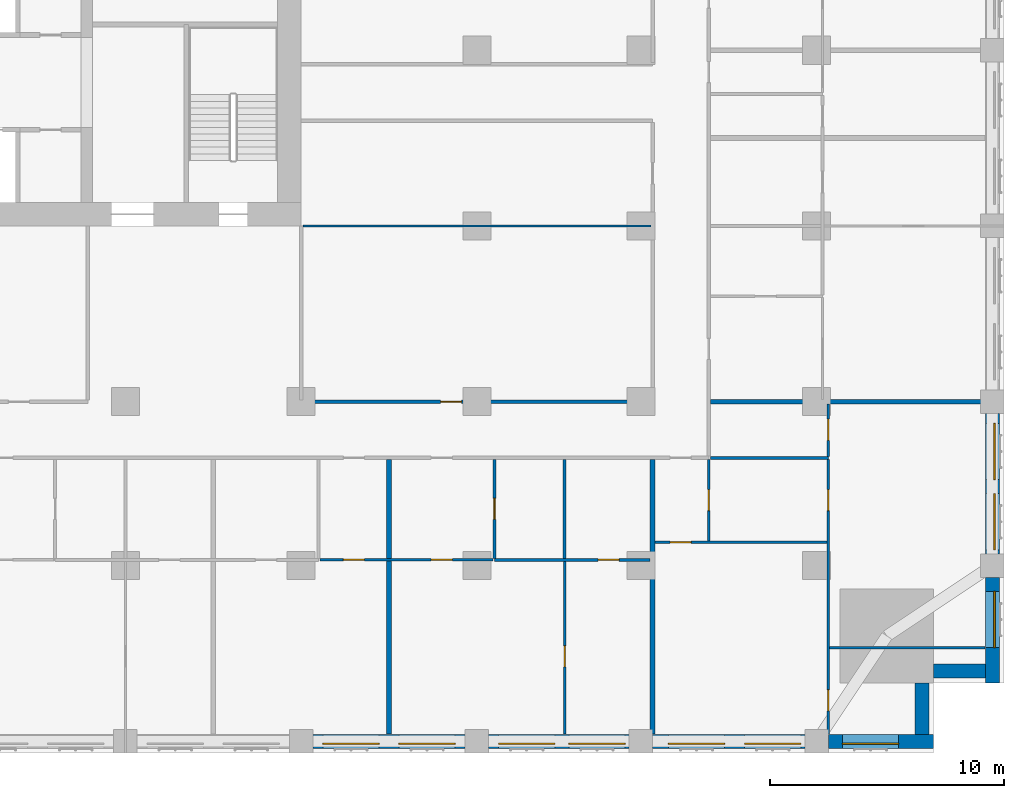
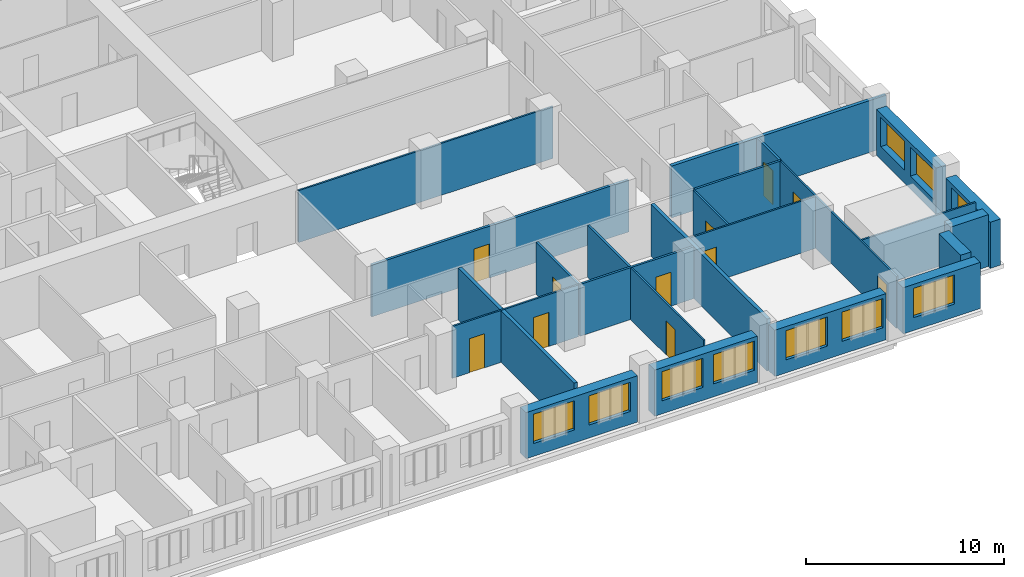
# One storey, part 6 of 14: 24 walls, 11 doors, 10 windows, 21 openings.
"""IFC4 building model written with IfcOpenShell, lengths in metres."""

from ifc_helpers import new_model, si_unit, direction, frame, frame_2d, origin, place, context, subcontext, project, spatial, rectangle, extrude, material, layer, layer_set, type_object, element, fill, save


model = new_model("IFC4")

# Units and contexts
model_context = context("Model", 3, precision=1e-05, world=origin(), true_north=direction((0.0, 1.0)))
body_context = subcontext(model_context, "Body", "Model", "MODEL_VIEW")
ifc_project = project(units=[si_unit("LENGTHUNIT", "METRE"), si_unit("AREAUNIT", "SQUARE_METRE"), si_unit("VOLUMEUNIT", "CUBIC_METRE"), si_unit("PLANEANGLEUNIT", "RADIAN"), si_unit("MASSUNIT", "GRAM", prefix="KILO")], contexts=[model_context])

# Site, building, storey
site_placement = place(None, origin())
site = spatial("IfcSite", under=ifc_project, at=site_placement, CompositionType="ELEMENT")
building_placement = place(site_placement, origin())
building = spatial("IfcBuilding", under=site, at=building_placement, Name="Tamorin Gate", CompositionType="ELEMENT")
storey_placement = place(building_placement, frame((0.0, 0.0, 70.0)))
storey = spatial("IfcBuildingStorey", under=building, at=storey_placement, Name="L16", CompositionType="ELEMENT", Elevation=70.0)

# Wall, openings, windows
ifc_material_1 = material(Name="Precast concrete C40/50", Category="concrete")
ifc_layer_1 = layer(ifc_material_1, 0.60009765625)
ifc_layer_set_1 = layer_set([ifc_layer_1], Name="Precast concrete C40/50")
wall_type_1 = type_object("IfcWallType", Name="Board-marked concrete facade panel 600", PredefinedType="SOLIDWALL", material=ifc_layer_set_1)
wall_1_placement = place(storey_placement, frame((60.5, 38.0, 0.0), z_axis=(0.0, 0.0, 1.0), x_axis=(1.0, 0.0, 0.0)))
wall_1 = element("IfcWall", 1, at=wall_1_placement, inside=storey, type_object=wall_type_1, Name="Facade panel", PredefinedType="SOLIDWALL", context=body_context, shape_type="SweptSolid", body=[
    extrude(rectangle(XDim=6.5, YDim=0.60009765625, at=frame_2d((3.25, 0.0))), origin(), (0.0, 0.0, 1.0), 2.85009765625),
])
opening_1_placement = place(wall_1_placement, frame((0.425048828125, 0.0, 0.800048828125)))
opening_1 = element("IfcOpeningElement", 2, at=opening_1_placement, cuts=wall_1, Name="Opening WN1", PredefinedType="OPENING", context=body_context, shape_type="SweptSolid", body=[
    extrude(rectangle(XDim=2.39990234375, YDim=1.800048828125, at=frame_2d((1.199951171875, 0.89990234375))), frame((0.0, 0.31005859375, 0.0), z_axis=(0.0, -1.0, 0.0), x_axis=(1.0, 0.0, 0.0)), (0.0, 0.0, 1.0), 0.6201171875),
])
opening_2_placement = place(wall_1_placement, frame((3.675048828125, 0.0, 0.800048828125)))
opening_2 = element("IfcOpeningElement", 3, at=opening_2_placement, cuts=wall_1, Name="Opening WN1", PredefinedType="OPENING", context=body_context, shape_type="SweptSolid", body=[
    extrude(rectangle(XDim=2.39990234375, YDim=1.800048828125, at=frame_2d((1.199951171875, 0.89990234375))), frame((0.0, 0.31005859375, 0.0), z_axis=(0.0, -1.0, 0.0), x_axis=(1.0, 0.0, 0.0)), (0.0, 0.0, 1.0), 0.6201171875),
])
ifc_material_2 = material(Name="Clear glass in aluminium frame", Category="aluminium")
window_type = type_object("IfcWindowType", Name="Deep-set window 2400x1800", PartitioningType="SINGLE_PANEL", PredefinedType="WINDOW", material=ifc_material_2)
window_1_placement = place(opening_1_placement, origin())
window_1 = element("IfcWindow", 4, at=window_1_placement, inside=storey, type_object=window_type, Name="Deep-set window", OverallHeight=1.800048828125, OverallWidth=2.39990234375, PartitioningType="SINGLE_PANEL", PredefinedType="WINDOW", context=body_context, shape_type="SweptSolid", body=[
    extrude(rectangle(XDim=2.39990234375, YDim=1.800048828125, at=frame_2d((1.199951171875, 0.89990234375))), frame((0.0, -0.070068359375, 0.0), z_axis=(0.0, -1.0, 0.0), x_axis=(1.0, 0.0, 0.0)), (0.0, 0.0, 1.0), 0.06005859375),
])
fill(opening_1, window_1)
window_2_placement = place(opening_2_placement, origin())
window_2 = element("IfcWindow", 5, at=window_2_placement, inside=storey, type_object=window_type, Name="Deep-set window", OverallHeight=1.800048828125, OverallWidth=2.39990234375, PartitioningType="SINGLE_PANEL", PredefinedType="WINDOW", context=body_context, shape_type="SweptSolid", body=[
    extrude(rectangle(XDim=2.39990234375, YDim=1.800048828125, at=frame_2d((1.199951171875, 0.89990234375))), frame((0.0, -0.070068359375, 0.0), z_axis=(0.0, -1.0, 0.0), x_axis=(1.0, 0.0, 0.0)), (0.0, 0.0, 1.0), 0.06005859375),
])
fill(opening_2, window_2)

wall_2_placement = place(storey_placement, frame((68.0, 38.0, 0.0), z_axis=(0.0, 0.0, 1.0), x_axis=(1.0, 0.0, 0.0)))
wall_2 = element("IfcWall", 6, at=wall_2_placement, inside=storey, type_object=wall_type_1, Name="Facade panel", PredefinedType="SOLIDWALL", context=body_context, shape_type="SweptSolid", body=[
    extrude(rectangle(XDim=6.0, YDim=0.60009765625, at=frame_2d((3.0, 0.0))), origin(), (0.0, 0.0, 1.0), 2.85009765625),
])
opening_3_placement = place(wall_2_placement, frame((0.425048828125, 0.0, 0.800048828125)))
opening_3 = element("IfcOpeningElement", 7, at=opening_3_placement, cuts=wall_2, Name="Opening WN1", PredefinedType="OPENING", context=body_context, shape_type="SweptSolid", body=[
    extrude(rectangle(XDim=2.39990234375, YDim=1.800048828125, at=frame_2d((1.199951171875, 0.89990234375))), frame((0.0, 0.31005859375, 0.0), z_axis=(0.0, -1.0, 0.0), x_axis=(1.0, 0.0, 0.0)), (0.0, 0.0, 1.0), 0.6201171875),
])
opening_4_placement = place(wall_2_placement, frame((3.425048828125, 0.0, 0.800048828125)))
opening_4 = element("IfcOpeningElement", 8, at=opening_4_placement, cuts=wall_2, Name="Opening WN1", PredefinedType="OPENING", context=body_context, shape_type="SweptSolid", body=[
    extrude(rectangle(XDim=2.39990234375, YDim=1.800048828125, at=frame_2d((1.199951171875, 0.89990234375))), frame((0.0, 0.31005859375, 0.0), z_axis=(0.0, -1.0, 0.0), x_axis=(1.0, 0.0, 0.0)), (0.0, 0.0, 1.0), 0.6201171875),
])
window_3_placement = place(opening_3_placement, origin())
window_3 = element("IfcWindow", 9, at=window_3_placement, inside=storey, type_object=window_type, Name="Deep-set window", OverallHeight=1.800048828125, OverallWidth=2.39990234375, PartitioningType="SINGLE_PANEL", PredefinedType="WINDOW", context=body_context, shape_type="SweptSolid", body=[
    extrude(rectangle(XDim=2.39990234375, YDim=1.800048828125, at=frame_2d((1.199951171875, 0.89990234375))), frame((0.0, -0.070068359375, 0.0), z_axis=(0.0, -1.0, 0.0), x_axis=(1.0, 0.0, 0.0)), (0.0, 0.0, 1.0), 0.06005859375),
])
fill(opening_3, window_3)
window_4_placement = place(opening_4_placement, origin())
window_4 = element("IfcWindow", 10, at=window_4_placement, inside=storey, type_object=window_type, Name="Deep-set window", OverallHeight=1.800048828125, OverallWidth=2.39990234375, PartitioningType="SINGLE_PANEL", PredefinedType="WINDOW", context=body_context, shape_type="SweptSolid", body=[
    extrude(rectangle(XDim=2.39990234375, YDim=1.800048828125, at=frame_2d((1.199951171875, 0.89990234375))), frame((0.0, -0.070068359375, 0.0), z_axis=(0.0, -1.0, 0.0), x_axis=(1.0, 0.0, 0.0)), (0.0, 0.0, 1.0), 0.06005859375),
])
fill(opening_4, window_4)

wall_3_placement = place(storey_placement, frame((75.0, 38.0, 0.0), z_axis=(0.0, 0.0, 1.0), x_axis=(1.0, 0.0, 0.0)))
wall_3 = element("IfcWall", 11, at=wall_3_placement, inside=storey, type_object=wall_type_1, Name="Facade panel", PredefinedType="SOLIDWALL", context=body_context, shape_type="SweptSolid", body=[
    extrude(rectangle(XDim=6.5, YDim=0.60009765625, at=frame_2d((3.25, 0.0))), origin(), (0.0, 0.0, 1.0), 2.85009765625),
])
opening_5_placement = place(wall_3_placement, frame((0.675048828125, 0.0, 0.800048828125)))
opening_5 = element("IfcOpeningElement", 12, at=opening_5_placement, cuts=wall_3, Name="Opening WN1", PredefinedType="OPENING", context=body_context, shape_type="SweptSolid", body=[
    extrude(rectangle(XDim=2.39990234375, YDim=1.800048828125, at=frame_2d((1.199951171875, 0.89990234375))), frame((0.0, 0.31005859375, 0.0), z_axis=(0.0, -1.0, 0.0), x_axis=(1.0, 0.0, 0.0)), (0.0, 0.0, 1.0), 0.6201171875),
])
opening_6_placement = place(wall_3_placement, frame((3.925048828125, 0.0, 0.800048828125)))
opening_6 = element("IfcOpeningElement", 13, at=opening_6_placement, cuts=wall_3, Name="Opening WN1", PredefinedType="OPENING", context=body_context, shape_type="SweptSolid", body=[
    extrude(rectangle(XDim=2.39990234375, YDim=1.800048828125, at=frame_2d((1.199951171875, 0.89990234375))), frame((0.0, 0.31005859375, 0.0), z_axis=(0.0, -1.0, 0.0), x_axis=(1.0, 0.0, 0.0)), (0.0, 0.0, 1.0), 0.6201171875),
])
window_5_placement = place(opening_5_placement, origin())
window_5 = element("IfcWindow", 14, at=window_5_placement, inside=storey, type_object=window_type, Name="Deep-set window", OverallHeight=1.800048828125, OverallWidth=2.39990234375, PartitioningType="SINGLE_PANEL", PredefinedType="WINDOW", context=body_context, shape_type="SweptSolid", body=[
    extrude(rectangle(XDim=2.39990234375, YDim=1.800048828125, at=frame_2d((1.199951171875, 0.89990234375))), frame((0.0, -0.070068359375, 0.0), z_axis=(0.0, -1.0, 0.0), x_axis=(1.0, 0.0, 0.0)), (0.0, 0.0, 1.0), 0.06005859375),
])
fill(opening_5, window_5)
window_6_placement = place(opening_6_placement, origin())
window_6 = element("IfcWindow", 15, at=window_6_placement, inside=storey, type_object=window_type, Name="Deep-set window", OverallHeight=1.800048828125, OverallWidth=2.39990234375, PartitioningType="SINGLE_PANEL", PredefinedType="WINDOW", context=body_context, shape_type="SweptSolid", body=[
    extrude(rectangle(XDim=2.39990234375, YDim=1.800048828125, at=frame_2d((1.199951171875, 0.89990234375))), frame((0.0, -0.070068359375, 0.0), z_axis=(0.0, -1.0, 0.0), x_axis=(1.0, 0.0, 0.0)), (0.0, 0.0, 1.0), 0.06005859375),
])
fill(opening_6, window_6)

# Wall, opening, window
wall_4_placement = place(storey_placement, frame((82.5, 38.0, 0.0), z_axis=(0.0, 0.0, 1.0), x_axis=(1.0, 0.0, 0.0)))
wall_4 = element("IfcWall", 16, at=wall_4_placement, inside=storey, type_object=wall_type_1, Name="Facade panel", PredefinedType="SOLIDWALL", context=body_context, shape_type="SweptSolid", body=[
    extrude(rectangle(XDim=4.5, YDim=0.60009765625, at=frame_2d((2.25, 0.0))), origin(), (0.0, 0.0, 1.0), 2.85009765625),
])
opening_7_placement = place(wall_4_placement, frame((0.60009765625, 0.0, 0.800048828125)))
opening_7 = element("IfcOpeningElement", 17, at=opening_7_placement, cuts=wall_4, Name="Opening WN1", PredefinedType="OPENING", context=body_context, shape_type="SweptSolid", body=[
    extrude(rectangle(XDim=2.39990234375, YDim=1.800048828125, at=frame_2d((1.199951171875, 0.89990234375))), frame((0.0, 0.31005859375, 0.0), z_axis=(0.0, -1.0, 0.0), x_axis=(1.0, 0.0, 0.0)), (0.0, 0.0, 1.0), 0.6201171875),
])
window_7_placement = place(opening_7_placement, origin())
window_7 = element("IfcWindow", 18, at=window_7_placement, inside=storey, type_object=window_type, Name="Deep-set window", OverallHeight=1.800048828125, OverallWidth=2.39990234375, PartitioningType="SINGLE_PANEL", PredefinedType="WINDOW", context=body_context, shape_type="SweptSolid", body=[
    extrude(rectangle(XDim=2.39990234375, YDim=1.800048828125, at=frame_2d((1.199951171875, 0.89990234375))), frame((0.0, -0.070068359375, 0.0), z_axis=(0.0, -1.0, 0.0), x_axis=(1.0, 0.0, 0.0)), (0.0, 0.0, 1.0), 0.06005859375),
])
fill(opening_7, window_7)

# Walls
for number, where, z_axis, x_axis, name in (
    (19, (86.5, 38.300048828125, 0.0), (0.0, 0.0, 1.0), (0.0, 1.0, 0.0), "Facade panel"),
    (20, (87.0, 41.0, 0.0), (0.0, 0.0, 1.0), (1.0, 0.0, 0.0), "Facade panel"),
):
    element("IfcWall", number, at=place(storey_placement, frame(where, z_axis=z_axis, x_axis=x_axis)), inside=storey, type_object=wall_type_1, Name=name, PredefinedType="SOLIDWALL", context=body_context, shape_type="SweptSolid", body=[
        extrude(rectangle(XDim=2.199951171875, YDim=0.60009765625, at=frame_2d((1.10009765625, 0.0))), origin(), (0.0, 0.0, 1.0), 3.199951171875),
    ])

# Wall, opening, window
wall_5_placement = place(storey_placement, frame((89.5, 40.5, 0.0), z_axis=(0.0, 0.0, 1.0), x_axis=(0.0, 1.0, 0.0)))
wall_5 = element("IfcWall", 21, at=wall_5_placement, inside=storey, type_object=wall_type_1, Name="Facade panel", PredefinedType="SOLIDWALL", context=body_context, shape_type="SweptSolid", body=[
    extrude(rectangle(XDim=4.5, YDim=0.60009765625, at=frame_2d((2.25, 0.0))), origin(), (0.0, 0.0, 1.0), 2.85009765625),
])
opening_8_placement = place(wall_5_placement, frame((1.5, 0.0, 0.800048828125)))
opening_8 = element("IfcOpeningElement", 22, at=opening_8_placement, cuts=wall_5, Name="Opening WN1", PredefinedType="OPENING", context=body_context, shape_type="SweptSolid", body=[
    extrude(rectangle(XDim=2.39990234375, YDim=1.800048828125, at=frame_2d((1.199951171875, 0.89990234375))), frame((0.0, 0.31005859375, 0.0), z_axis=(0.0, -1.0, 0.0), x_axis=(1.0, 0.0, 0.0)), (0.0, 0.0, 1.0), 0.6201171875),
])
window_8_placement = place(opening_8_placement, origin())
window_8 = element("IfcWindow", 23, at=window_8_placement, inside=storey, type_object=window_type, Name="Deep-set window", OverallHeight=1.800048828125, OverallWidth=2.39990234375, PartitioningType="SINGLE_PANEL", PredefinedType="WINDOW", context=body_context, shape_type="SweptSolid", body=[
    extrude(rectangle(XDim=2.39990234375, YDim=1.800048828125, at=frame_2d((1.199951171875, 0.89990234375))), frame((0.0, -0.070068359375, 0.0), z_axis=(0.0, -1.0, 0.0), x_axis=(1.0, 0.0, 0.0)), (0.0, 0.0, 1.0), 0.06005859375),
])
fill(opening_8, window_8)

# Wall, openings, windows
wall_6_placement = place(storey_placement, frame((89.5, 46.0, 0.0), z_axis=(0.0, 0.0, 1.0), x_axis=(0.0, 1.0, 0.0)))
wall_6 = element("IfcWall", 24, at=wall_6_placement, inside=storey, type_object=wall_type_1, Name="Facade panel", PredefinedType="SOLIDWALL", context=body_context, shape_type="SweptSolid", body=[
    extrude(rectangle(XDim=6.0, YDim=0.60009765625, at=frame_2d((3.0, 0.0))), origin(), (0.0, 0.0, 1.0), 2.85009765625),
])
opening_9_placement = place(wall_6_placement, frame((0.175048828125, 0.0, 0.800048828125)))
opening_9 = element("IfcOpeningElement", 25, at=opening_9_placement, cuts=wall_6, Name="Opening WN1", PredefinedType="OPENING", context=body_context, shape_type="SweptSolid", body=[
    extrude(rectangle(XDim=2.39990234375, YDim=1.800048828125, at=frame_2d((1.199951171875, 0.89990234375))), frame((0.0, 0.31005859375, 0.0), z_axis=(0.0, -1.0, 0.0), x_axis=(1.0, 0.0, 0.0)), (0.0, 0.0, 1.0), 0.6201171875),
])
opening_10_placement = place(wall_6_placement, frame((3.175048828125, 0.0, 0.800048828125)))
opening_10 = element("IfcOpeningElement", 26, at=opening_10_placement, cuts=wall_6, Name="Opening WN1", PredefinedType="OPENING", context=body_context, shape_type="SweptSolid", body=[
    extrude(rectangle(XDim=2.39990234375, YDim=1.800048828125, at=frame_2d((1.199951171875, 0.89990234375))), frame((0.0, 0.31005859375, 0.0), z_axis=(0.0, -1.0, 0.0), x_axis=(1.0, 0.0, 0.0)), (0.0, 0.0, 1.0), 0.6201171875),
])
window_9_placement = place(opening_9_placement, origin())
window_9 = element("IfcWindow", 27, at=window_9_placement, inside=storey, type_object=window_type, Name="Deep-set window", OverallHeight=1.800048828125, OverallWidth=2.39990234375, PartitioningType="SINGLE_PANEL", PredefinedType="WINDOW", context=body_context, shape_type="SweptSolid", body=[
    extrude(rectangle(XDim=2.39990234375, YDim=1.800048828125, at=frame_2d((1.199951171875, 0.89990234375))), frame((0.0, -0.070068359375, 0.0), z_axis=(0.0, -1.0, 0.0), x_axis=(1.0, 0.0, 0.0)), (0.0, 0.0, 1.0), 0.06005859375),
])
fill(opening_9, window_9)
window_10_placement = place(opening_10_placement, origin())
window_10 = element("IfcWindow", 28, at=window_10_placement, inside=storey, type_object=window_type, Name="Deep-set window", OverallHeight=1.800048828125, OverallWidth=2.39990234375, PartitioningType="SINGLE_PANEL", PredefinedType="WINDOW", context=body_context, shape_type="SweptSolid", body=[
    extrude(rectangle(XDim=2.39990234375, YDim=1.800048828125, at=frame_2d((1.199951171875, 0.89990234375))), frame((0.0, -0.070068359375, 0.0), z_axis=(0.0, -1.0, 0.0), x_axis=(1.0, 0.0, 0.0)), (0.0, 0.0, 1.0), 0.06005859375),
])
fill(opening_10, window_10)

# Wall, opening, door
ifc_material_3 = material(Name="Gypsum board partition")
ifc_layer_2 = layer(ifc_material_3, 0.14990234375)
ifc_layer_set_2 = layer_set([ifc_layer_2], Name="Corridor wall 150")
wall_type_2 = type_object("IfcWallType", Name="Corridor wall 150", PredefinedType="PARTITIONING", material=ifc_layer_set_2)
wall_7_placement = place(storey_placement, frame((60.0, 52.5, 0.0), z_axis=(0.0, 0.0, 1.0), x_axis=(1.0, 0.0, 0.0)))
wall_7 = element("IfcWall", 29, at=wall_7_placement, inside=storey, type_object=wall_type_2, Name="Corridor wall 150", PredefinedType="PARTITIONING", context=body_context, shape_type="SweptSolid", body=[
    extrude(rectangle(XDim=15.0, YDim=0.14990234375, at=frame_2d((7.5, 0.0))), origin(), (0.0, 0.0, 1.0), 3.199951171875),
])
opening_11_placement = place(wall_7_placement, frame((5.949951171875, 0.0, 0.0)))
opening_11 = element("IfcOpeningElement", 30, at=opening_11_placement, cuts=wall_7, Name="Opening DH3076", PredefinedType="OPENING", context=body_context, shape_type="SweptSolid", body=[
    extrude(rectangle(XDim=0.89990234375, YDim=2.10009765625, at=frame_2d((0.449951171875, 1.050048828125))), frame((0.0, 0.0849609375, 0.0), z_axis=(0.0, -1.0, 0.0), x_axis=(1.0, 0.0, 0.0)), (0.0, 0.0, 1.0), 0.169921875),
])
ifc_material_4 = material(Name="Timber door leaf", Category="wood")
door_type_1 = type_object("IfcDoorType", Name="Door 900 x 2100 FD30S", OperationType="NOTDEFINED", PredefinedType="DOOR", material=ifc_material_4)
door_1_placement = place(opening_11_placement, origin())
door_1 = element("IfcDoor", 31, at=door_1_placement, inside=storey, type_object=door_type_1, Name="Door DH3076", OperationType="SINGLE_SWING_LEFT", OverallHeight=2.10009765625, OverallWidth=0.89990234375, PredefinedType="DOOR", context=body_context, shape_type="SweptSolid", body=[
    extrude(rectangle(XDim=0.89990234375, YDim=2.10009765625, at=frame_2d((0.449951171875, 1.050048828125))), frame((0.0, 0.02490234375, 0.0), z_axis=(0.0, -1.0, 0.0), x_axis=(1.0, 0.0, 0.0)), (0.0, 0.0, 1.0), 0.050048828125),
])
fill(opening_11, door_1)

# Walls
ifc_layer_3 = layer(ifc_material_3, 0.199951171875)
ifc_layer_set_3 = layer_set([ifc_layer_3], Name="Demising wall 200")
wall_type_3 = type_object("IfcWallType", Name="Demising wall 200", PredefinedType="PARTITIONING", material=ifc_layer_set_3)
wall_8_placement = place(storey_placement, frame((77.47509765625, 52.5, 0.0), z_axis=(0.0, 0.0, 1.0), x_axis=(1.0, 0.0, 0.0)))
element("IfcWall", 32, at=wall_8_placement, inside=storey, type_object=wall_type_3, Name="Demising wall 200", PredefinedType="PARTITIONING", context=body_context, shape_type="SweptSolid", body=[
    extrude(rectangle(XDim=12.52490234375, YDim=0.199951171875, at=frame_2d((6.262451171875, 0.0))), origin(), (0.0, 0.0, 1.0), 3.199951171875),
])
for number, where, z_axis, x_axis, name in (
    (33, (63.75, 38.31005859375, 0.0), (0.0, 0.0, 1.0), (0.0, 1.0, 0.0), "Demising wall 200"),
    (34, (75.0, 38.31005859375, 0.0), (0.0, 0.0, 1.0), (0.0, 1.0, 0.0), "Demising wall 200"),
):
    element("IfcWall", number, at=place(storey_placement, frame(where, z_axis=z_axis, x_axis=x_axis)), inside=storey, type_object=wall_type_3, Name=name, PredefinedType="PARTITIONING", context=body_context, shape_type="SweptSolid", body=[
        extrude(rectangle(XDim=11.71484375, YDim=0.199951171875, at=frame_2d((5.857421875, 0.0))), origin(), (0.0, 0.0, 1.0), 3.199951171875),
    ])
ifc_layer_4 = layer(ifc_material_3, 0.10009765625)
ifc_layer_set_4 = layer_set([ifc_layer_4], Name="Room partition 100")
wall_type_4 = type_object("IfcWallType", Name="Room partition 100", PredefinedType="PARTITIONING", material=ifc_layer_set_4)
wall_9_placement = place(storey_placement, frame((82.550048828125, 42.0, 0.0), z_axis=(0.0, 0.0, 1.0), x_axis=(1.0, 0.0, 0.0)))
element("IfcWall", 35, at=wall_9_placement, inside=storey, type_object=wall_type_4, Name="Room partition 100", PredefinedType="PARTITIONING", context=body_context, shape_type="SweptSolid", body=[
    extrude(rectangle(XDim=6.639892578125, YDim=0.10009765625, at=frame_2d((3.31982421875, 0.0))), origin(), (0.0, 0.0, 1.0), 3.199951171875),
])

# Wall, openings, doors
wall_10_placement = place(storey_placement, frame((60.8125, 45.75, 0.0), z_axis=(0.0, 0.0, 1.0), x_axis=(1.0, 0.0, 0.0)))
wall_10 = element("IfcWall", 36, at=wall_10_placement, inside=storey, type_object=wall_type_4, Name="Room partition 100", PredefinedType="PARTITIONING", context=body_context, shape_type="SweptSolid", body=[
    extrude(rectangle(XDim=7.375, YDim=0.10009765625, at=frame_2d((3.6875, 0.0))), origin(), (0.0, 0.0, 1.0), 3.199951171875),
])
opening_12_placement = place(wall_10_placement, frame((0.987548828125, 0.0, 0.0)))
opening_12 = element("IfcOpeningElement", 37, at=opening_12_placement, cuts=wall_10, Name="Opening DH3014", PredefinedType="OPENING", context=body_context, shape_type="SweptSolid", body=[
    extrude(rectangle(XDim=0.89990234375, YDim=2.10009765625, at=frame_2d((0.449951171875, 1.050048828125))), frame((0.0, 0.06005859375, 0.0), z_axis=(0.0, -1.0, 0.0), x_axis=(1.0, 0.0, 0.0)), (0.0, 0.0, 1.0), 0.1201171875),
])
opening_13_placement = place(wall_10_placement, frame((4.737548828125, 0.0, 0.0)))
opening_13 = element("IfcOpeningElement", 38, at=opening_13_placement, cuts=wall_10, Name="Opening DH3016", PredefinedType="OPENING", context=body_context, shape_type="SweptSolid", body=[
    extrude(rectangle(XDim=0.89990234375, YDim=2.10009765625, at=frame_2d((0.449951171875, 1.050048828125))), frame((0.0, 0.06005859375, 0.0), z_axis=(0.0, -1.0, 0.0), x_axis=(1.0, 0.0, 0.0)), (0.0, 0.0, 1.0), 0.1201171875),
])
door_type_2 = type_object("IfcDoorType", Name="Door 900 x 2100", OperationType="NOTDEFINED", PredefinedType="DOOR", material=ifc_material_4)
door_2_placement = place(opening_12_placement, origin())
door_2 = element("IfcDoor", 39, at=door_2_placement, inside=storey, type_object=door_type_2, Name="Door DH3014", OperationType="SINGLE_SWING_LEFT", OverallHeight=2.10009765625, OverallWidth=0.89990234375, PredefinedType="DOOR", context=body_context, shape_type="SweptSolid", body=[
    extrude(rectangle(XDim=0.89990234375, YDim=2.10009765625, at=frame_2d((0.449951171875, 1.050048828125))), frame((0.0, 0.02490234375, 0.0), z_axis=(0.0, -1.0, 0.0), x_axis=(1.0, 0.0, 0.0)), (0.0, 0.0, 1.0), 0.050048828125),
])
fill(opening_12, door_2)
door_3_placement = place(opening_13_placement, origin())
door_3 = element("IfcDoor", 40, at=door_3_placement, inside=storey, type_object=door_type_2, Name="Door DH3016", OperationType="SINGLE_SWING_LEFT", OverallHeight=2.10009765625, OverallWidth=0.89990234375, PredefinedType="DOOR", context=body_context, shape_type="SweptSolid", body=[
    extrude(rectangle(XDim=0.89990234375, YDim=2.10009765625, at=frame_2d((0.449951171875, 1.050048828125))), frame((0.0, 0.02490234375, 0.0), z_axis=(0.0, -1.0, 0.0), x_axis=(1.0, 0.0, 0.0)), (0.0, 0.0, 1.0), 0.050048828125),
])
fill(opening_13, door_3)

# Wall, opening, door
wall_11_placement = place(storey_placement, frame((75.10009765625, 46.5, 0.0), z_axis=(0.0, 0.0, 1.0), x_axis=(1.0, 0.0, 0.0)))
wall_11 = element("IfcWall", 41, at=wall_11_placement, inside=storey, type_object=wall_type_4, Name="Room partition 100", PredefinedType="PARTITIONING", context=body_context, shape_type="SweptSolid", body=[
    extrude(rectangle(XDim=7.349853515625, YDim=0.10009765625, at=frame_2d((3.6748046875, 0.0))), origin(), (0.0, 0.0, 1.0), 3.199951171875),
])
opening_14_placement = place(wall_11_placement, frame((0.64990234375, 0.0, 0.0)))
opening_14 = element("IfcOpeningElement", 42, at=opening_14_placement, cuts=wall_11, Name="Opening DH3062", PredefinedType="OPENING", context=body_context, shape_type="SweptSolid", body=[
    extrude(rectangle(XDim=0.89990234375, YDim=2.10009765625, at=frame_2d((0.449951171875, 1.050048828125))), frame((0.0, 0.06005859375, 0.0), z_axis=(0.0, -1.0, 0.0), x_axis=(1.0, 0.0, 0.0)), (0.0, 0.0, 1.0), 0.1201171875),
])
door_4_placement = place(opening_14_placement, origin())
door_4 = element("IfcDoor", 43, at=door_4_placement, inside=storey, type_object=door_type_2, Name="Door DH3062", OperationType="SINGLE_SWING_RIGHT", OverallHeight=2.10009765625, OverallWidth=0.89990234375, PredefinedType="DOOR", context=body_context, shape_type="SweptSolid", body=[
    extrude(rectangle(XDim=0.89990234375, YDim=2.10009765625, at=frame_2d((0.449951171875, 1.050048828125))), frame((0.0, 0.02490234375, 0.0), z_axis=(0.0, -1.0, 0.0), x_axis=(1.0, 0.0, 0.0)), (0.0, 0.0, 1.0), 0.050048828125),
])
fill(opening_14, door_4)

# Wall
wall_12_placement = place(storey_placement, frame((60.074951171875, 60.0, 0.0), z_axis=(0.0, 0.0, 1.0), x_axis=(1.0, 0.0, 0.0)))
element("IfcWall", 44, at=wall_12_placement, inside=storey, type_object=wall_type_4, Name="Room partition 100", PredefinedType="PARTITIONING", context=body_context, shape_type="SweptSolid", body=[
    extrude(rectangle(XDim=14.85009765625, YDim=0.10009765625, at=frame_2d((7.425048828125, 0.0))), origin(), (0.0, 0.0, 1.0), 3.199951171875),
])

# Wall, opening, door
wall_13_placement = place(storey_placement, frame((71.25, 38.31005859375, 0.0), z_axis=(0.0, 0.0, 1.0), x_axis=(0.0, 1.0, 0.0)))
wall_13 = element("IfcWall", 45, at=wall_13_placement, inside=storey, type_object=wall_type_4, Name="Room partition 100", PredefinedType="PARTITIONING", context=body_context, shape_type="SweptSolid", body=[
    extrude(rectangle(XDim=7.37744140625, YDim=0.10009765625, at=frame_2d((3.688720703125, 0.0))), origin(), (0.0, 0.0, 1.0), 3.199951171875),
])
opening_15_placement = place(wall_13_placement, frame((2.864990234375, 0.0, 0.0)))
opening_15 = element("IfcOpeningElement", 46, at=opening_15_placement, cuts=wall_13, Name="Opening DH3019", PredefinedType="OPENING", context=body_context, shape_type="SweptSolid", body=[
    extrude(rectangle(XDim=0.89990234375, YDim=2.10009765625, at=frame_2d((0.449951171875, 1.050048828125))), frame((0.0, 0.06005859375, 0.0), z_axis=(0.0, -1.0, 0.0), x_axis=(1.0, 0.0, 0.0)), (0.0, 0.0, 1.0), 0.1201171875),
])
door_5_placement = place(opening_15_placement, origin())
door_5 = element("IfcDoor", 47, at=door_5_placement, inside=storey, type_object=door_type_2, Name="Door DH3019", OperationType="SINGLE_SWING_LEFT", OverallHeight=2.10009765625, OverallWidth=0.89990234375, PredefinedType="DOOR", context=body_context, shape_type="SweptSolid", body=[
    extrude(rectangle(XDim=0.89990234375, YDim=2.10009765625, at=frame_2d((0.449951171875, 1.050048828125))), frame((0.0, 0.02490234375, 0.0), z_axis=(0.0, -1.0, 0.0), x_axis=(1.0, 0.0, 0.0)), (0.0, 0.0, 1.0), 0.050048828125),
])
fill(opening_15, door_5)

wall_14_placement = place(storey_placement, frame((77.39990234375, 46.550048828125, 0.0), z_axis=(0.0, 0.0, 1.0), x_axis=(0.0, 1.0, 0.0)))
wall_14 = element("IfcWall", 48, at=wall_14_placement, inside=storey, type_object=wall_type_4, Name="Room partition 100", PredefinedType="PARTITIONING", context=body_context, shape_type="SweptSolid", body=[
    extrude(rectangle(XDim=3.474853515625, YDim=0.10009765625, at=frame_2d((1.7373046875, 0.0))), origin(), (0.0, 0.0, 1.0), 3.199951171875),
])
opening_16_placement = place(wall_14_placement, frame((1.300048828125, 0.0, 0.0)))
opening_16 = element("IfcOpeningElement", 49, at=opening_16_placement, cuts=wall_14, Name="Opening DH3063", PredefinedType="OPENING", context=body_context, shape_type="SweptSolid", body=[
    extrude(rectangle(XDim=0.89990234375, YDim=2.10009765625, at=frame_2d((0.449951171875, 1.050048828125))), frame((0.0, 0.06005859375, 0.0), z_axis=(0.0, -1.0, 0.0), x_axis=(1.0, 0.0, 0.0)), (0.0, 0.0, 1.0), 0.1201171875),
])
door_6_placement = place(opening_16_placement, origin())
door_6 = element("IfcDoor", 50, at=door_6_placement, inside=storey, type_object=door_type_2, Name="Door DH3063", OperationType="SINGLE_SWING_RIGHT", OverallHeight=2.10009765625, OverallWidth=0.89990234375, PredefinedType="DOOR", context=body_context, shape_type="SweptSolid", body=[
    extrude(rectangle(XDim=0.89990234375, YDim=2.10009765625, at=frame_2d((0.449951171875, 1.050048828125))), frame((0.0, 0.02490234375, 0.0), z_axis=(0.0, -1.0, 0.0), x_axis=(1.0, 0.0, 0.0)), (0.0, 0.0, 1.0), 0.050048828125),
])
fill(opening_16, door_6)

# Wall, openings, doors
wall_15_placement = place(storey_placement, frame((82.5, 38.31005859375, 0.0), z_axis=(0.0, 0.0, 1.0), x_axis=(0.0, 1.0, 0.0)))
wall_15 = element("IfcWall", 51, at=wall_15_placement, inside=storey, type_object=wall_type_4, Name="Room partition 100", PredefinedType="PARTITIONING", context=body_context, shape_type="SweptSolid", body=[
    extrude(rectangle(XDim=11.7275390625, YDim=0.10009765625, at=frame_2d((5.86376953125, 0.0))), origin(), (0.0, 0.0, 1.0), 3.199951171875),
])
opening_17_placement = place(wall_15_placement, frame((0.989990234375, 0.0, 0.0)))
opening_17 = element("IfcOpeningElement", 52, at=opening_17_placement, cuts=wall_15, Name="Opening DH3064", PredefinedType="OPENING", context=body_context, shape_type="SweptSolid", body=[
    extrude(rectangle(XDim=0.89990234375, YDim=2.10009765625, at=frame_2d((0.449951171875, 1.050048828125))), frame((0.0, 0.06005859375, 0.0), z_axis=(0.0, -1.0, 0.0), x_axis=(1.0, 0.0, 0.0)), (0.0, 0.0, 1.0), 0.1201171875),
])
opening_18_placement = place(wall_15_placement, frame((9.5400390625, 0.0, 0.0)))
opening_18 = element("IfcOpeningElement", 53, at=opening_18_placement, cuts=wall_15, Name="Opening DH3065", PredefinedType="OPENING", context=body_context, shape_type="SweptSolid", body=[
    extrude(rectangle(XDim=0.89990234375, YDim=2.10009765625, at=frame_2d((0.449951171875, 1.050048828125))), frame((0.0, 0.06005859375, 0.0), z_axis=(0.0, -1.0, 0.0), x_axis=(1.0, 0.0, 0.0)), (0.0, 0.0, 1.0), 0.1201171875),
])
door_7_placement = place(opening_17_placement, origin())
door_7 = element("IfcDoor", 54, at=door_7_placement, inside=storey, type_object=door_type_2, Name="Door DH3064", OperationType="SINGLE_SWING_LEFT", OverallHeight=2.10009765625, OverallWidth=0.89990234375, PredefinedType="DOOR", context=body_context, shape_type="SweptSolid", body=[
    extrude(rectangle(XDim=0.89990234375, YDim=2.10009765625, at=frame_2d((0.449951171875, 1.050048828125))), frame((0.0, 0.02490234375, 0.0), z_axis=(0.0, -1.0, 0.0), x_axis=(1.0, 0.0, 0.0)), (0.0, 0.0, 1.0), 0.050048828125),
])
fill(opening_17, door_7)
door_8_placement = place(opening_18_placement, origin())
door_8 = element("IfcDoor", 55, at=door_8_placement, inside=storey, type_object=door_type_2, Name="Door DH3065", OperationType="SINGLE_SWING_RIGHT", OverallHeight=2.10009765625, OverallWidth=0.89990234375, PredefinedType="DOOR", context=body_context, shape_type="SweptSolid", body=[
    extrude(rectangle(XDim=0.89990234375, YDim=2.10009765625, at=frame_2d((0.449951171875, 1.050048828125))), frame((0.0, 0.02490234375, 0.0), z_axis=(0.0, -1.0, 0.0), x_axis=(1.0, 0.0, 0.0)), (0.0, 0.0, 1.0), 0.050048828125),
])
fill(opening_18, door_8)

# Wall, opening, door
ifc_layer_5 = layer(ifc_material_3, 0.125)
ifc_layer_set_5 = layer_set([ifc_layer_5], Name="Wet wall 125")
wall_type_5 = type_object("IfcWallType", Name="Wet wall 125", PredefinedType="PARTITIONING", material=ifc_layer_set_5)
wall_16_placement = place(storey_placement, frame((68.25, 45.75, 0.0), z_axis=(0.0, 0.0, 1.0), x_axis=(1.0, 0.0, 0.0)))
wall_16 = element("IfcWall", 56, at=wall_16_placement, inside=storey, type_object=wall_type_5, Name="Wet wall 125", PredefinedType="PARTITIONING", context=body_context, shape_type="SweptSolid", body=[
    extrude(rectangle(XDim=6.64990234375, YDim=0.125, at=frame_2d((3.324951171875, 0.0))), origin(), (0.0, 0.0, 1.0), 3.199951171875),
])
opening_19_placement = place(wall_16_placement, frame((4.425048828125, 0.0, 0.0)))
opening_19 = element("IfcOpeningElement", 57, at=opening_19_placement, cuts=wall_16, Name="Opening DH3018", PredefinedType="OPENING", context=body_context, shape_type="SweptSolid", body=[
    extrude(rectangle(XDim=0.89990234375, YDim=2.10009765625, at=frame_2d((0.449951171875, 1.050048828125))), frame((0.0, 0.072509765625, 0.0), z_axis=(0.0, -1.0, 0.0), x_axis=(1.0, 0.0, 0.0)), (0.0, 0.0, 1.0), 0.14501953125),
])
door_9_placement = place(opening_19_placement, origin())
door_9 = element("IfcDoor", 58, at=door_9_placement, inside=storey, type_object=door_type_2, Name="Door DH3018", OperationType="SINGLE_SWING_LEFT", OverallHeight=2.10009765625, OverallWidth=0.89990234375, PredefinedType="DOOR", context=body_context, shape_type="SweptSolid", body=[
    extrude(rectangle(XDim=0.89990234375, YDim=2.10009765625, at=frame_2d((0.449951171875, 1.050048828125))), frame((0.0, 0.02490234375, 0.0), z_axis=(0.0, -1.0, 0.0), x_axis=(1.0, 0.0, 0.0)), (0.0, 0.0, 1.0), 0.050048828125),
])
fill(opening_19, door_9)

# Wall
wall_17_placement = place(storey_placement, frame((77.47509765625, 50.10009765625, 0.0), z_axis=(0.0, 0.0, 1.0), x_axis=(1.0, 0.0, 0.0)))
element("IfcWall", 59, at=wall_17_placement, inside=storey, type_object=wall_type_5, Name="Wet wall 125", PredefinedType="PARTITIONING", context=body_context, shape_type="SweptSolid", body=[
    extrude(rectangle(XDim=5.02490234375, YDim=0.125, at=frame_2d((2.512451171875, 0.0))), origin(), (0.0, 0.0, 1.0), 3.199951171875),
])

# Wall, opening, door
wall_18_placement = place(storey_placement, frame((68.25, 45.8125, 0.0), z_axis=(0.0, 0.0, 1.0), x_axis=(0.0, 1.0, 0.0)))
wall_18 = element("IfcWall", 60, at=wall_18_placement, inside=storey, type_object=wall_type_5, Name="Wet wall 125", PredefinedType="PARTITIONING", context=body_context, shape_type="SweptSolid", body=[
    extrude(rectangle(XDim=4.21240234375, YDim=0.125, at=frame_2d((2.106201171875, 0.0))), origin(), (0.0, 0.0, 1.0), 3.199951171875),
])
opening_20_placement = place(wall_18_placement, frame((1.66259765625, 0.0, 0.0)))
opening_20 = element("IfcOpeningElement", 61, at=opening_20_placement, cuts=wall_18, Name="Opening DH3017", PredefinedType="OPENING", context=body_context, shape_type="SweptSolid", body=[
    extrude(rectangle(XDim=0.89990234375, YDim=2.10009765625, at=frame_2d((0.449951171875, 1.050048828125))), frame((0.0, 0.072509765625, 0.0), z_axis=(0.0, -1.0, 0.0), x_axis=(1.0, 0.0, 0.0)), (0.0, 0.0, 1.0), 0.14501953125),
])
door_10_placement = place(opening_20_placement, origin())
door_10 = element("IfcDoor", 62, at=door_10_placement, inside=storey, type_object=door_type_2, Name="Door DH3017", OperationType="SINGLE_SWING_LEFT", OverallHeight=2.10009765625, OverallWidth=0.89990234375, PredefinedType="DOOR", context=body_context, shape_type="SweptSolid", body=[
    extrude(rectangle(XDim=0.89990234375, YDim=2.10009765625, at=frame_2d((0.449951171875, 1.050048828125))), frame((0.0, 0.02490234375, 0.0), z_axis=(0.0, -1.0, 0.0), x_axis=(1.0, 0.0, 0.0)), (0.0, 0.0, 1.0), 0.050048828125),
])
fill(opening_20, door_10)

# Wall
wall_19_placement = place(storey_placement, frame((71.25, 45.8125, 0.0), z_axis=(0.0, 0.0, 1.0), x_axis=(0.0, 1.0, 0.0)))
element("IfcWall", 63, at=wall_19_placement, inside=storey, type_object=wall_type_5, Name="Wet wall 125", PredefinedType="PARTITIONING", context=body_context, shape_type="SweptSolid", body=[
    extrude(rectangle(XDim=4.21240234375, YDim=0.125, at=frame_2d((2.106201171875, 0.0))), origin(), (0.0, 0.0, 1.0), 3.199951171875),
])

# Wall, opening, door
wall_20_placement = place(storey_placement, frame((82.5, 50.16259765625, 0.0), z_axis=(0.0, 0.0, 1.0), x_axis=(0.0, 1.0, 0.0)))
wall_20 = element("IfcWall", 64, at=wall_20_placement, inside=storey, type_object=wall_type_5, Name="Wet wall 125", PredefinedType="PARTITIONING", context=body_context, shape_type="SweptSolid", body=[
    extrude(rectangle(XDim=2.2373046875, YDim=0.125, at=frame_2d((1.11865234375, 0.0))), origin(), (0.0, 0.0, 1.0), 3.199951171875),
])
opening_21_placement = place(wall_20_placement, frame((0.6875, 0.0, 0.0)))
opening_21 = element("IfcOpeningElement", 65, at=opening_21_placement, cuts=wall_20, Name="Opening DH3066", PredefinedType="OPENING", context=body_context, shape_type="SweptSolid", body=[
    extrude(rectangle(XDim=0.89990234375, YDim=2.10009765625, at=frame_2d((0.449951171875, 1.050048828125))), frame((0.0, 0.072509765625, 0.0), z_axis=(0.0, -1.0, 0.0), x_axis=(1.0, 0.0, 0.0)), (0.0, 0.0, 1.0), 0.14501953125),
])
door_11_placement = place(opening_21_placement, origin())
door_11 = element("IfcDoor", 66, at=door_11_placement, inside=storey, type_object=door_type_2, Name="Door DH3066", OperationType="SINGLE_SWING_LEFT", OverallHeight=2.10009765625, OverallWidth=0.89990234375, PredefinedType="DOOR", context=body_context, shape_type="SweptSolid", body=[
    extrude(rectangle(XDim=0.89990234375, YDim=2.10009765625, at=frame_2d((0.449951171875, 1.050048828125))), frame((0.0, 0.02490234375, 0.0), z_axis=(0.0, -1.0, 0.0), x_axis=(1.0, 0.0, 0.0)), (0.0, 0.0, 1.0), 0.050048828125),
])
fill(opening_21, door_11)

save(model, "model.ifc")
